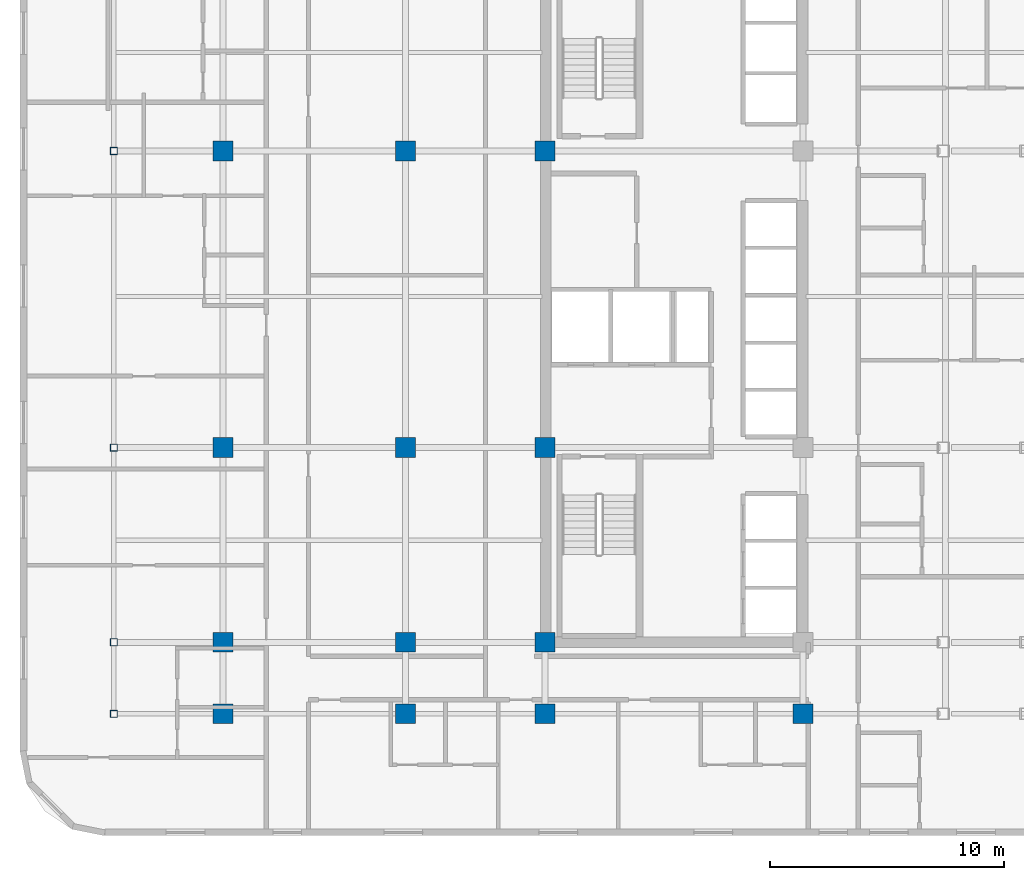
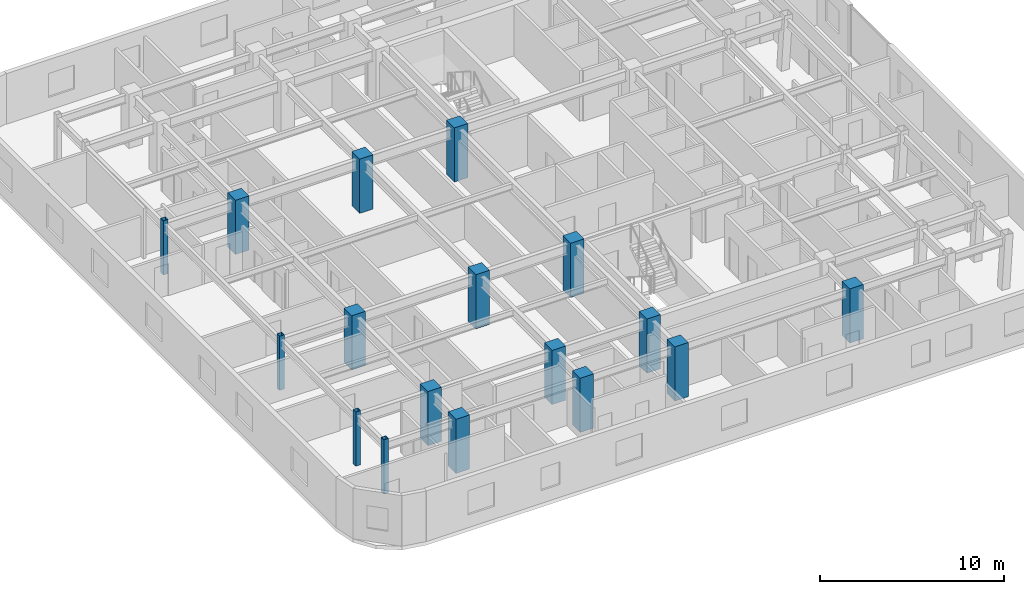
# One storey, part 1 of 13: 17 columns.
"""IFC4 building model written with IfcOpenShell, lengths in metres."""

from ifc_helpers import new_model, si_unit, direction, frame, origin, origin_2d, place, context, subcontext, project, spatial, rectangle, hollow_rectangle, extrude, material, material_profile, profile_set, type_object, element, save


model = new_model("IFC4")

# Units and contexts
model_context = context("Model", 3, precision=1e-05, world=origin(), true_north=direction((0.0, 1.0)))
body_context = subcontext(model_context, "Body", "Model", "MODEL_VIEW")
ifc_project = project(units=[si_unit("LENGTHUNIT", "METRE"), si_unit("AREAUNIT", "SQUARE_METRE"), si_unit("VOLUMEUNIT", "CUBIC_METRE"), si_unit("PLANEANGLEUNIT", "RADIAN"), si_unit("MASSUNIT", "GRAM", prefix="KILO")], contexts=[model_context])

# Site, building, storey
site_placement = place(None, origin())
site = spatial("IfcSite", under=ifc_project, at=site_placement, CompositionType="ELEMENT")
building_placement = place(site_placement, origin())
building = spatial("IfcBuilding", under=site, at=building_placement, Name="Ochreholt Gables", CompositionType="ELEMENT")
storey_placement = place(building_placement, frame((0.0, 0.0, 34.800048828125)))
storey = spatial("IfcBuildingStorey", under=building, at=storey_placement, Name="L08", CompositionType="ELEMENT", Elevation=34.800048828125)

# Columns
ifc_material_1 = material(Name="Steel CSA G40.21 350W", Category="steel")
ifc_material_profile_1 = material_profile(ifc_material_1, hollow_rectangle(XDim=0.304931640625, YDim=0.304931640625, WallThickness=0.0126953125, at=origin_2d()), Name="HSS305X305X13")
ifc_profile_set_1 = profile_set([ifc_material_profile_1], Name="Steel CSA G40.21 350W")
column_type_1 = type_object("IfcColumnType", Name="COL-HSS305-EXT", PredefinedType="COLUMN", material=ifc_profile_set_1)
for number, where, z_axis, x_axis, name in (
    (1, (5.800048828125, 6.199951171875, 0.0), (0.0, 0.0, 1.0), (1.0, 0.0, 0.0), "L08 Column WTY1"),
    (2, (5.800048828125, 9.25, 0.0), (0.0, 0.0, 1.0), (1.0, 0.0, 0.0), "L08 Column WTY2"),
    (3, (5.800048828125, 17.550048828125, 0.0), (0.0, 0.0, 1.0), (1.0, 0.0, 0.0), "L08 Column WTY3"),
    (4, (5.800048828125, 30.199951171875, 0.0), (0.0, 0.0, 1.0), (1.0, 0.0, 0.0), "L08 Column WTY4"),
):
    element("IfcColumn", number, at=place(storey_placement, frame(where, z_axis=z_axis, x_axis=x_axis)), inside=storey, type_object=column_type_1, Name=name, PredefinedType="COLUMN", context=body_context, shape_type="SweptSolid", body=[
        extrude(hollow_rectangle(XDim=0.304931640625, YDim=0.304931640625, WallThickness=0.0126953125, at=origin_2d()), origin(), (0.0, 0.0, 1.0), 3.599853515625),
    ])
ifc_material_2 = material(Name="Concrete 60 MPa", Category="concrete")
ifc_material_profile_2 = material_profile(ifc_material_2, rectangle(XDim=0.85009765625, YDim=0.85009765625, at=origin_2d()), Name="RC850X850")
ifc_profile_set_2 = profile_set([ifc_material_profile_2], Name="Concrete 60 MPa")
column_type_2 = type_object("IfcColumnType", Name="COL-RC850-EXT", PredefinedType="COLUMN", material=ifc_profile_set_2)
for number, where, z_axis, x_axis, name in (
    (5, (10.449951171875, 6.199951171875, 0.0), (0.0, 0.0, 1.0), (1.0, 0.0, 0.0), "L08 Column W2Y1"),
    (6, (18.25, 6.199951171875, 0.0), (0.0, 0.0, 1.0), (1.0, 0.0, 0.0), "L08 Column W3Y1"),
    (7, (24.199951171875, 6.199951171875, 0.0), (0.0, 0.0, 1.0), (1.0, 0.0, 0.0), "L08 Column C1Y1"),
    (8, (35.199951171875, 6.199951171875, 0.0), (0.0, 0.0, 1.0), (1.0, 0.0, 0.0), "L08 Column C2Y1"),
):
    element("IfcColumn", number, at=place(storey_placement, frame(where, z_axis=z_axis, x_axis=x_axis)), inside=storey, type_object=column_type_2, Name=name, PredefinedType="COLUMN", context=body_context, shape_type="SweptSolid", body=[
        extrude(rectangle(XDim=0.85009765625, YDim=0.85009765625, at=origin_2d()), origin(), (0.0, 0.0, 1.0), 3.599853515625),
    ])
ifc_material_profile_3 = material_profile(ifc_material_2, rectangle(XDim=0.85009765625, YDim=0.85009765625, at=origin_2d()), Name="RC850X850")
ifc_profile_set_3 = profile_set([ifc_material_profile_3], Name="Concrete 60 MPa")
column_type_3 = type_object("IfcColumnType", Name="COL-RC850-INT", PredefinedType="COLUMN", material=ifc_profile_set_3)
for number, where, z_axis, x_axis, name in (
    (9, (10.449951171875, 9.25, 0.0), (0.0, 0.0, 1.0), (1.0, 0.0, 0.0), "L08 Column W2Y2"),
    (10, (10.449951171875, 17.550048828125, 0.0), (0.0, 0.0, 1.0), (1.0, 0.0, 0.0), "L08 Column W2Y3"),
    (11, (10.449951171875, 30.199951171875, 0.0), (0.0, 0.0, 1.0), (1.0, 0.0, 0.0), "L08 Column W2Y4"),
    (12, (18.25, 9.25, 0.0), (0.0, 0.0, 1.0), (1.0, 0.0, 0.0), "L08 Column W3Y2"),
    (13, (18.25, 17.550048828125, 0.0), (0.0, 0.0, 1.0), (1.0, 0.0, 0.0), "L08 Column W3Y3"),
    (14, (18.25, 30.199951171875, 0.0), (0.0, 0.0, 1.0), (1.0, 0.0, 0.0), "L08 Column W3Y4"),
    (15, (24.199951171875, 9.25, 0.0), (0.0, 0.0, 1.0), (1.0, 0.0, 0.0), "L08 Column C1Y2"),
    (16, (24.199951171875, 17.550048828125, 0.0), (0.0, 0.0, 1.0), (1.0, 0.0, 0.0), "L08 Column C1Y3"),
    (17, (24.199951171875, 30.199951171875, 0.0), (0.0, 0.0, 1.0), (1.0, 0.0, 0.0), "L08 Column C1Y4"),
):
    element("IfcColumn", number, at=place(storey_placement, frame(where, z_axis=z_axis, x_axis=x_axis)), inside=storey, type_object=column_type_3, Name=name, PredefinedType="COLUMN", context=body_context, shape_type="SweptSolid", body=[
        extrude(rectangle(XDim=0.85009765625, YDim=0.85009765625, at=origin_2d()), origin(), (0.0, 0.0, 1.0), 3.599853515625),
    ])

save(model, "model.ifc")
